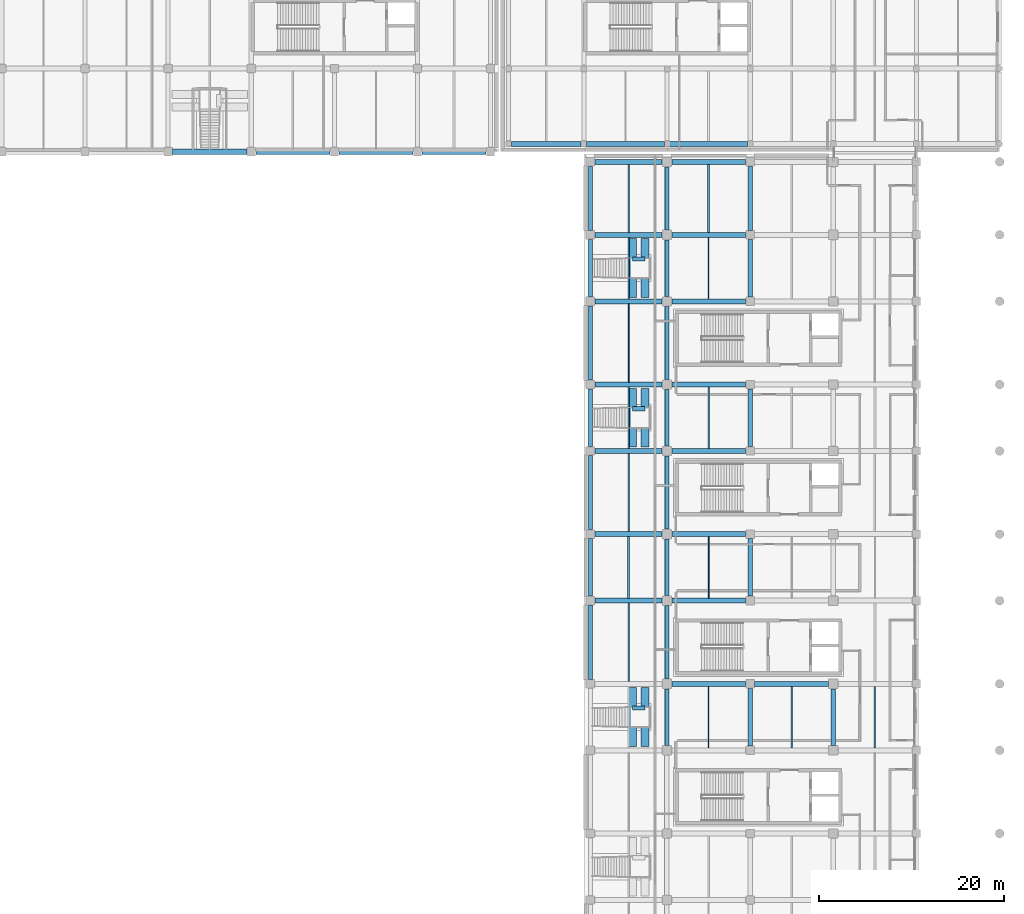
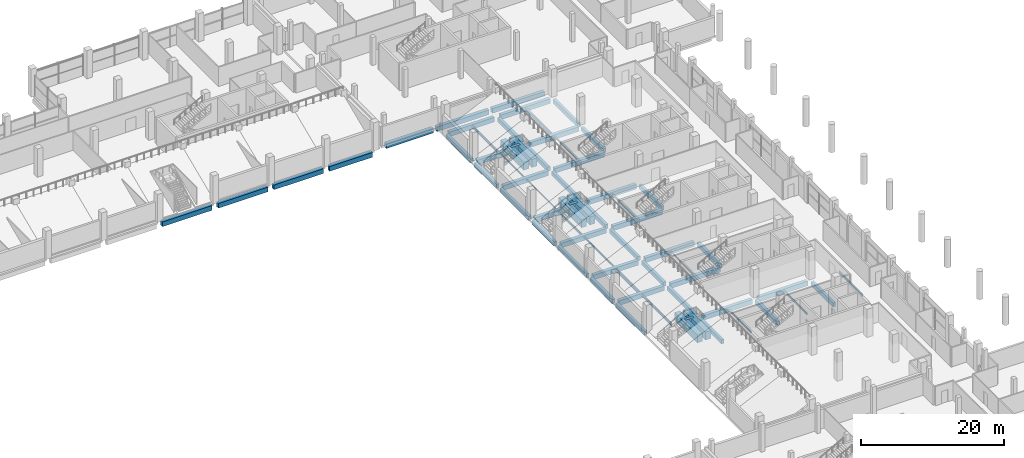
# One storey, part 24 of 100: 67 beams.
"""IFC4 building model written with IfcOpenShell, lengths in metres."""

from ifc_helpers import new_model, si_unit, direction, frame, origin, origin_2d, place, context, subcontext, project, spatial, rectangle, hollow_rectangle, i_section, extrude, material, material_profile, profile_set, type_object, element, save


model = new_model("IFC4")

# Units and contexts
model_context = context("Model", 3, precision=1e-05, world=origin(), true_north=direction((0.0, 1.0)))
body_context = subcontext(model_context, "Body", "Model", "MODEL_VIEW")
ifc_project = project(units=[si_unit("LENGTHUNIT", "METRE"), si_unit("AREAUNIT", "SQUARE_METRE"), si_unit("VOLUMEUNIT", "CUBIC_METRE"), si_unit("PLANEANGLEUNIT", "RADIAN"), si_unit("MASSUNIT", "GRAM", prefix="KILO"), si_unit("THERMODYNAMICTEMPERATUREUNIT", "KELVIN"), si_unit("POWERUNIT", "WATT")], contexts=[model_context])

# Site, building, storey
site_placement = place(None, origin())
site = spatial("IfcSite", under=ifc_project, at=site_placement, CompositionType="ELEMENT")
building_placement = place(site_placement, origin())
building = spatial("IfcBuilding", under=site, at=building_placement, Name="Sindhuravela Promenade Stadium", CompositionType="ELEMENT")
storey_placement = place(building_placement, frame((0.0, 0.0, 4.800048828125)))
storey = spatial("IfcBuildingStorey", under=building, at=storey_placement, Name="L01", CompositionType="ELEMENT", Elevation=4.800048828125)

# Beams
ifc_material_1 = material(Name="Concrete M40", Category="concrete")
ifc_material_profile_1 = material_profile(ifc_material_1, rectangle(XDim=0.449951171875, YDim=0.699951171875, at=origin_2d()), Name="RC 450x700")
ifc_profile_set_1 = profile_set([ifc_material_profile_1], Name="Concrete M40")
beam_type_1 = type_object("IfcBeamType", Name="RC-BM-450x700", PredefinedType="BEAM", material=ifc_profile_set_1)
beam_1_placement = place(storey_placement, frame((171.699951171875, 68.889892578125, -0.650146484375), z_axis=(0.0, 1.0, 0.0), x_axis=(-1.0, 0.0, 0.0)))
element("IfcBeam", 1, at=beam_1_placement, inside=storey, type_object=beam_type_1, Name="Primary beam GB07 EAST L01", PredefinedType="BEAM", context=body_context, shape_type="SweptSolid", body=[
    extrude(rectangle(XDim=0.449951171875, YDim=0.699951171875, at=origin_2d()), origin(), (0.0, 0.0, 1.0), 8.02001953125),
])
beam_2_placement = place(storey_placement, frame((171.699951171875, 77.889892578125, -0.650146484375), z_axis=(0.0, 1.0, 0.0), x_axis=(-1.0, 0.0, 0.0)))
element("IfcBeam", 2, at=beam_2_placement, inside=storey, type_object=beam_type_1, Name="Primary beam GB07 EAST L01", PredefinedType="BEAM", context=body_context, shape_type="SweptSolid", body=[
    extrude(rectangle(XDim=0.449951171875, YDim=0.699951171875, at=origin_2d()), origin(), (0.0, 0.0, 1.0), 6.22021484375),
])
beam_3_placement = place(storey_placement, frame((171.699951171875, 85.090087890625, -0.650146484375), z_axis=(0.0, 1.0, 0.0), x_axis=(-1.0, 0.0, 0.0)))
element("IfcBeam", 3, at=beam_3_placement, inside=storey, type_object=beam_type_1, Name="Primary beam GB07 EAST L01", PredefinedType="BEAM", context=body_context, shape_type="SweptSolid", body=[
    extrude(rectangle(XDim=0.449951171875, YDim=0.699951171875, at=origin_2d()), origin(), (0.0, 0.0, 1.0), 8.02001953125),
])
beam_4_placement = place(storey_placement, frame((171.699951171875, 94.090087890625, -0.650146484375), z_axis=(0.0, 1.0, 0.0), x_axis=(-1.0, 0.0, 0.0)))
element("IfcBeam", 4, at=beam_4_placement, inside=storey, type_object=beam_type_1, Name="Primary beam GB07 EAST L01", PredefinedType="BEAM", context=body_context, shape_type="SweptSolid", body=[
    extrude(rectangle(XDim=0.449951171875, YDim=0.699951171875, at=origin_2d()), origin(), (0.0, 0.0, 1.0), 6.219970703125),
])
beam_5_placement = place(storey_placement, frame((171.699951171875, 101.2900390625, -0.650146484375), z_axis=(0.0, 1.0, 0.0), x_axis=(-1.0, 0.0, 0.0)))
element("IfcBeam", 5, at=beam_5_placement, inside=storey, type_object=beam_type_1, Name="Primary beam GB07 EAST L01", PredefinedType="BEAM", context=body_context, shape_type="SweptSolid", body=[
    extrude(rectangle(XDim=0.449951171875, YDim=0.699951171875, at=origin_2d()), origin(), (0.0, 0.0, 1.0), 8.02001953125),
])
beam_6_placement = place(storey_placement, frame((171.699951171875, 110.2900390625, -0.650146484375), z_axis=(0.0, 1.0, 0.0), x_axis=(-1.0, 0.0, 0.0)))
element("IfcBeam", 6, at=beam_6_placement, inside=storey, type_object=beam_type_1, Name="Primary beam GB07 EAST L01", PredefinedType="BEAM", context=body_context, shape_type="SweptSolid", body=[
    extrude(rectangle(XDim=0.449951171875, YDim=0.699951171875, at=origin_2d()), origin(), (0.0, 0.0, 1.0), 6.219970703125),
])
beam_7_placement = place(storey_placement, frame((171.699951171875, 117.489990234375, -0.650146484375), z_axis=(0.0, 1.0, 0.0), x_axis=(-1.0, 0.0, 0.0)))
element("IfcBeam", 7, at=beam_7_placement, inside=storey, type_object=beam_type_1, Name="Primary beam GB07 EAST L01", PredefinedType="BEAM", context=body_context, shape_type="SweptSolid", body=[
    extrude(rectangle(XDim=0.449951171875, YDim=0.699951171875, at=origin_2d()), origin(), (0.0, 0.0, 1.0), 6.919921875),
])
beam_8_placement = place(storey_placement, frame((180.0, 61.739990234375, -0.650146484375), z_axis=(0.0, 1.0, 0.0), x_axis=(-1.0, 0.0, 0.0)))
element("IfcBeam", 8, at=beam_8_placement, inside=storey, type_object=beam_type_1, Name="Primary beam GB07 EAST L01", PredefinedType="BEAM", context=body_context, shape_type="SweptSolid", body=[
    extrude(rectangle(XDim=0.449951171875, YDim=0.699951171875, at=origin_2d()), origin(), (0.0, 0.0, 1.0), 6.1201171875),
])
beam_9_placement = place(storey_placement, frame((180.0, 68.93994140625, -0.650146484375), z_axis=(0.0, 1.0, 0.0), x_axis=(-1.0, 0.0, 0.0)))
element("IfcBeam", 9, at=beam_9_placement, inside=storey, type_object=beam_type_1, Name="Primary beam GB07 EAST L01", PredefinedType="BEAM", context=body_context, shape_type="SweptSolid", body=[
    extrude(rectangle(XDim=0.449951171875, YDim=0.699951171875, at=origin_2d()), origin(), (0.0, 0.0, 1.0), 7.920166015625),
])
beam_10_placement = place(storey_placement, frame((180.0, 77.93994140625, -0.650146484375), z_axis=(0.0, 1.0, 0.0), x_axis=(-1.0, 0.0, 0.0)))
element("IfcBeam", 10, at=beam_10_placement, inside=storey, type_object=beam_type_1, Name="Primary beam GB07 EAST L01", PredefinedType="BEAM", context=body_context, shape_type="SweptSolid", body=[
    extrude(rectangle(XDim=0.449951171875, YDim=0.699951171875, at=origin_2d()), origin(), (0.0, 0.0, 1.0), 6.1201171875),
])
beam_11_placement = place(storey_placement, frame((180.0, 85.139892578125, -0.650146484375), z_axis=(0.0, 1.0, 0.0), x_axis=(-1.0, 0.0, 0.0)))
element("IfcBeam", 11, at=beam_11_placement, inside=storey, type_object=beam_type_1, Name="Primary beam GB07 EAST L01", PredefinedType="BEAM", context=body_context, shape_type="SweptSolid", body=[
    extrude(rectangle(XDim=0.449951171875, YDim=0.699951171875, at=origin_2d()), origin(), (0.0, 0.0, 1.0), 7.920166015625),
])
beam_12_placement = place(storey_placement, frame((180.0, 94.139892578125, -0.650146484375), z_axis=(0.0, 1.0, 0.0), x_axis=(-1.0, 0.0, 0.0)))
element("IfcBeam", 12, at=beam_12_placement, inside=storey, type_object=beam_type_1, Name="Primary beam GB07 EAST L01", PredefinedType="BEAM", context=body_context, shape_type="SweptSolid", body=[
    extrude(rectangle(XDim=0.449951171875, YDim=0.699951171875, at=origin_2d()), origin(), (0.0, 0.0, 1.0), 6.1201171875),
])
beam_13_placement = place(storey_placement, frame((180.0, 101.340087890625, -0.650146484375), z_axis=(0.0, 1.0, 0.0), x_axis=(-1.0, 0.0, 0.0)))
element("IfcBeam", 13, at=beam_13_placement, inside=storey, type_object=beam_type_1, Name="Primary beam GB07 EAST L01", PredefinedType="BEAM", context=body_context, shape_type="SweptSolid", body=[
    extrude(rectangle(XDim=0.449951171875, YDim=0.699951171875, at=origin_2d()), origin(), (0.0, 0.0, 1.0), 7.919921875),
])
beam_14_placement = place(storey_placement, frame((180.0, 110.340087890625, -0.650146484375), z_axis=(0.0, 1.0, 0.0), x_axis=(-1.0, 0.0, 0.0)))
element("IfcBeam", 14, at=beam_14_placement, inside=storey, type_object=beam_type_1, Name="Primary beam GB07 EAST L01", PredefinedType="BEAM", context=body_context, shape_type="SweptSolid", body=[
    extrude(rectangle(XDim=0.449951171875, YDim=0.699951171875, at=origin_2d()), origin(), (0.0, 0.0, 1.0), 6.119873046875),
])
beam_15_placement = place(storey_placement, frame((180.0, 117.5400390625, -0.650146484375), z_axis=(0.0, 1.0, 0.0), x_axis=(-1.0, 0.0, 0.0)))
element("IfcBeam", 15, at=beam_15_placement, inside=storey, type_object=beam_type_1, Name="Primary beam GB07 EAST L01", PredefinedType="BEAM", context=body_context, shape_type="SweptSolid", body=[
    extrude(rectangle(XDim=0.449951171875, YDim=0.699951171875, at=origin_2d()), origin(), (0.0, 0.0, 1.0), 6.820068359375),
])
beam_16_placement = place(storey_placement, frame((189.0, 61.68994140625, -0.650146484375), z_axis=(0.0, 1.0, 0.0), x_axis=(-1.0, 0.0, 0.0)))
element("IfcBeam", 16, at=beam_16_placement, inside=storey, type_object=beam_type_1, Name="Primary beam GB07 EAST L01", PredefinedType="BEAM", context=body_context, shape_type="SweptSolid", body=[
    extrude(rectangle(XDim=0.449951171875, YDim=0.699951171875, at=origin_2d()), origin(), (0.0, 0.0, 1.0), 6.219970703125),
])
beam_17_placement = place(storey_placement, frame((189.0, 77.889892578125, -0.650146484375), z_axis=(0.0, 1.0, 0.0), x_axis=(-1.0, 0.0, 0.0)))
element("IfcBeam", 17, at=beam_17_placement, inside=storey, type_object=beam_type_1, Name="Primary beam GB07 EAST L01", PredefinedType="BEAM", context=body_context, shape_type="SweptSolid", body=[
    extrude(rectangle(XDim=0.449951171875, YDim=0.699951171875, at=origin_2d()), origin(), (0.0, 0.0, 1.0), 6.22021484375),
])
for number, where, z_axis, x_axis, name in (
    (18, (189.0, 94.090087890625, -0.650146484375), (0.0, 1.0, 0.0), (-1.0, 0.0, 0.0), "Primary beam GB07 EAST L01"),
    (19, (189.0, 110.2900390625, -0.650146484375), (0.0, 1.0, 0.0), (-1.0, 0.0, 0.0), "Primary beam GB07 EAST L01"),
):
    element("IfcBeam", number, at=place(storey_placement, frame(where, z_axis=z_axis, x_axis=x_axis)), inside=storey, type_object=beam_type_1, Name=name, PredefinedType="BEAM", context=body_context, shape_type="SweptSolid", body=[
        extrude(rectangle(XDim=0.449951171875, YDim=0.699951171875, at=origin_2d()), origin(), (0.0, 0.0, 1.0), 6.219970703125),
    ])
beam_18_placement = place(storey_placement, frame((189.0, 117.489990234375, -0.650146484375), z_axis=(0.0, 1.0, 0.0), x_axis=(-1.0, 0.0, 0.0)))
element("IfcBeam", 20, at=beam_18_placement, inside=storey, type_object=beam_type_1, Name="Primary beam GB07 EAST L01", PredefinedType="BEAM", context=body_context, shape_type="SweptSolid", body=[
    extrude(rectangle(XDim=0.449951171875, YDim=0.699951171875, at=origin_2d()), origin(), (0.0, 0.0, 1.0), 6.919921875),
])
beam_19_placement = place(storey_placement, frame((198.0, 61.739990234375, -0.650146484375), z_axis=(0.0, 1.0, 0.0), x_axis=(-1.0, 0.0, 0.0)))
element("IfcBeam", 21, at=beam_19_placement, inside=storey, type_object=beam_type_1, Name="Primary beam GB07 EAST L01", PredefinedType="BEAM", context=body_context, shape_type="SweptSolid", body=[
    extrude(rectangle(XDim=0.449951171875, YDim=0.699951171875, at=origin_2d()), origin(), (0.0, 0.0, 1.0), 6.1201171875),
])
for number, where, z_axis, x_axis, name in (
    (22, (176.25, 65.780029296875, 1.655029296875), (1.0, 0.0, 0.0), (0.0, 1.0, 0.0), "Vomitory VS06 landing edge stringer"),
    (23, (176.25, 98.179931640625, 1.655029296875), (1.0, 0.0, 0.0), (0.0, 1.0, 0.0), "Vomitory VS07 landing edge stringer"),
    (24, (176.25, 114.3798828125, 1.655029296875), (1.0, 0.0, 0.0), (0.0, 1.0, 0.0), "Vomitory VS08 landing edge stringer"),
):
    element("IfcBeam", number, at=place(storey_placement, frame(where, z_axis=z_axis, x_axis=x_axis)), inside=storey, type_object=beam_type_1, Name=name, PredefinedType="BEAM", context=body_context, shape_type="SweptSolid", body=[
        extrude(rectangle(XDim=0.449951171875, YDim=0.699951171875, at=origin_2d()), origin(), (0.0, 0.0, 1.0), 1.35009765625),
    ])
ifc_material_profile_2 = material_profile(ifc_material_1, rectangle(XDim=0.550048828125, YDim=0.800048828125, at=origin_2d()), Name="RC 550x800")
ifc_profile_set_2 = profile_set([ifc_material_profile_2], Name="Concrete M40")
beam_type_2 = type_object("IfcBeamType", Name="RC-BM-550x800", PredefinedType="BEAM", material=ifc_profile_set_2)
for number, where, z_axis, x_axis, name in (
    (25, (180.5400390625, 68.39990234375, -0.699951171875), (1.0, 0.0, 0.0), (0.0, 1.0, 0.0), "Primary girder GB05 EAST L01"),
    (26, (189.489990234375, 68.39990234375, -0.699951171875), (1.0, 0.0, 0.0), (0.0, 1.0, 0.0), "Primary girder GB05 EAST L01"),
):
    element("IfcBeam", number, at=place(storey_placement, frame(where, z_axis=z_axis, x_axis=x_axis)), inside=storey, type_object=beam_type_2, Name=name, PredefinedType="BEAM", context=body_context, shape_type="SweptSolid", body=[
        extrude(rectangle(XDim=0.550048828125, YDim=0.800048828125, at=origin_2d()), origin(), (0.0, 0.0, 1.0), 7.969970703125),
    ])
beam_20_placement = place(storey_placement, frame((172.18994140625, 77.39990234375, -0.699951171875), z_axis=(1.0, 0.0, 0.0), x_axis=(0.0, 1.0, 0.0)))
element("IfcBeam", 27, at=beam_20_placement, inside=storey, type_object=beam_type_2, Name="Primary girder GB05 EAST L01", PredefinedType="BEAM", context=body_context, shape_type="SweptSolid", body=[
    extrude(rectangle(XDim=0.550048828125, YDim=0.800048828125, at=origin_2d()), origin(), (0.0, 0.0, 1.0), 7.27001953125),
])
beam_21_placement = place(storey_placement, frame((180.5400390625, 77.39990234375, -0.699951171875), z_axis=(1.0, 0.0, 0.0), x_axis=(0.0, 1.0, 0.0)))
element("IfcBeam", 28, at=beam_21_placement, inside=storey, type_object=beam_type_2, Name="Primary girder GB05 EAST L01", PredefinedType="BEAM", context=body_context, shape_type="SweptSolid", body=[
    extrude(rectangle(XDim=0.550048828125, YDim=0.800048828125, at=origin_2d()), origin(), (0.0, 0.0, 1.0), 7.969970703125),
])
beam_22_placement = place(storey_placement, frame((172.18994140625, 84.60009765625, -0.699951171875), z_axis=(1.0, 0.0, 0.0), x_axis=(0.0, 1.0, 0.0)))
element("IfcBeam", 29, at=beam_22_placement, inside=storey, type_object=beam_type_2, Name="Primary girder GB05 EAST L01", PredefinedType="BEAM", context=body_context, shape_type="SweptSolid", body=[
    extrude(rectangle(XDim=0.550048828125, YDim=0.800048828125, at=origin_2d()), origin(), (0.0, 0.0, 1.0), 7.27001953125),
])
beam_23_placement = place(storey_placement, frame((180.5400390625, 84.60009765625, -0.699951171875), z_axis=(1.0, 0.0, 0.0), x_axis=(0.0, 1.0, 0.0)))
element("IfcBeam", 30, at=beam_23_placement, inside=storey, type_object=beam_type_2, Name="Primary girder GB05 EAST L01", PredefinedType="BEAM", context=body_context, shape_type="SweptSolid", body=[
    extrude(rectangle(XDim=0.550048828125, YDim=0.800048828125, at=origin_2d()), origin(), (0.0, 0.0, 1.0), 7.969970703125),
])
beam_24_placement = place(storey_placement, frame((172.18994140625, 93.60009765625, -0.699951171875), z_axis=(1.0, 0.0, 0.0), x_axis=(0.0, 1.0, 0.0)))
element("IfcBeam", 31, at=beam_24_placement, inside=storey, type_object=beam_type_2, Name="Primary girder GB05 EAST L01", PredefinedType="BEAM", context=body_context, shape_type="SweptSolid", body=[
    extrude(rectangle(XDim=0.550048828125, YDim=0.800048828125, at=origin_2d()), origin(), (0.0, 0.0, 1.0), 7.27001953125),
])
beam_25_placement = place(storey_placement, frame((180.5400390625, 93.60009765625, -0.699951171875), z_axis=(1.0, 0.0, 0.0), x_axis=(0.0, 1.0, 0.0)))
element("IfcBeam", 32, at=beam_25_placement, inside=storey, type_object=beam_type_2, Name="Primary girder GB05 EAST L01", PredefinedType="BEAM", context=body_context, shape_type="SweptSolid", body=[
    extrude(rectangle(XDim=0.550048828125, YDim=0.800048828125, at=origin_2d()), origin(), (0.0, 0.0, 1.0), 7.969970703125),
])
beam_26_placement = place(storey_placement, frame((172.18994140625, 100.800048828125, -0.699951171875), z_axis=(1.0, 0.0, 0.0), x_axis=(0.0, 1.0, 0.0)))
element("IfcBeam", 33, at=beam_26_placement, inside=storey, type_object=beam_type_2, Name="Primary girder GB05 EAST L01", PredefinedType="BEAM", context=body_context, shape_type="SweptSolid", body=[
    extrude(rectangle(XDim=0.550048828125, YDim=0.800048828125, at=origin_2d()), origin(), (0.0, 0.0, 1.0), 7.27001953125),
])
beam_27_placement = place(storey_placement, frame((180.5400390625, 100.800048828125, -0.699951171875), z_axis=(1.0, 0.0, 0.0), x_axis=(0.0, 1.0, 0.0)))
element("IfcBeam", 34, at=beam_27_placement, inside=storey, type_object=beam_type_2, Name="Primary girder GB05 EAST L01", PredefinedType="BEAM", context=body_context, shape_type="SweptSolid", body=[
    extrude(rectangle(XDim=0.550048828125, YDim=0.800048828125, at=origin_2d()), origin(), (0.0, 0.0, 1.0), 7.969970703125),
])
beam_28_placement = place(storey_placement, frame((172.18994140625, 109.800048828125, -0.699951171875), z_axis=(1.0, 0.0, 0.0), x_axis=(0.0, 1.0, 0.0)))
element("IfcBeam", 35, at=beam_28_placement, inside=storey, type_object=beam_type_2, Name="Primary girder GB05 EAST L01", PredefinedType="BEAM", context=body_context, shape_type="SweptSolid", body=[
    extrude(rectangle(XDim=0.550048828125, YDim=0.800048828125, at=origin_2d()), origin(), (0.0, 0.0, 1.0), 7.27001953125),
])
beam_29_placement = place(storey_placement, frame((180.5400390625, 109.800048828125, -0.699951171875), z_axis=(1.0, 0.0, 0.0), x_axis=(0.0, 1.0, 0.0)))
element("IfcBeam", 36, at=beam_29_placement, inside=storey, type_object=beam_type_2, Name="Primary girder GB05 EAST L01", PredefinedType="BEAM", context=body_context, shape_type="SweptSolid", body=[
    extrude(rectangle(XDim=0.550048828125, YDim=0.800048828125, at=origin_2d()), origin(), (0.0, 0.0, 1.0), 7.969970703125),
])
beam_30_placement = place(storey_placement, frame((172.18994140625, 117.0, -0.699951171875), z_axis=(1.0, 0.0, 0.0), x_axis=(0.0, 1.0, 0.0)))
element("IfcBeam", 37, at=beam_30_placement, inside=storey, type_object=beam_type_2, Name="Primary girder GB05 EAST L01", PredefinedType="BEAM", context=body_context, shape_type="SweptSolid", body=[
    extrude(rectangle(XDim=0.550048828125, YDim=0.800048828125, at=origin_2d()), origin(), (0.0, 0.0, 1.0), 7.27001953125),
])
beam_31_placement = place(storey_placement, frame((180.5400390625, 117.0, -0.699951171875), z_axis=(1.0, 0.0, 0.0), x_axis=(0.0, 1.0, 0.0)))
element("IfcBeam", 38, at=beam_31_placement, inside=storey, type_object=beam_type_2, Name="Primary girder GB05 EAST L01", PredefinedType="BEAM", context=body_context, shape_type="SweptSolid", body=[
    extrude(rectangle(XDim=0.550048828125, YDim=0.800048828125, at=origin_2d()), origin(), (0.0, 0.0, 1.0), 7.969970703125),
])
beam_32_placement = place(storey_placement, frame((172.18994140625, 124.89990234375, -0.699951171875), z_axis=(1.0, 0.0, 0.0), x_axis=(0.0, 1.0, 0.0)))
element("IfcBeam", 39, at=beam_32_placement, inside=storey, type_object=beam_type_2, Name="Primary girder GB05 EAST L01", PredefinedType="BEAM", context=body_context, shape_type="SweptSolid", body=[
    extrude(rectangle(XDim=0.550048828125, YDim=0.800048828125, at=origin_2d()), origin(), (0.0, 0.0, 1.0), 7.27001953125),
])
beam_33_placement = place(storey_placement, frame((180.5400390625, 124.89990234375, -0.699951171875), z_axis=(1.0, 0.0, 0.0), x_axis=(0.0, 1.0, 0.0)))
element("IfcBeam", 40, at=beam_33_placement, inside=storey, type_object=beam_type_2, Name="Primary girder GB05 EAST L01", PredefinedType="BEAM", context=body_context, shape_type="SweptSolid", body=[
    extrude(rectangle(XDim=0.550048828125, YDim=0.800048828125, at=origin_2d()), origin(), (0.0, 0.0, 1.0), 7.969970703125),
])
for number, where, z_axis, x_axis, name in (
    (41, (126.489990234375, 126.0, -0.699951171875), (1.0, 0.0, 0.0), (0.0, 1.0, 0.0), "Primary girder GB05 NORTH L01"),
    (42, (135.489990234375, 126.0, -0.699951171875), (1.0, 0.0, 0.0), (0.0, 1.0, 0.0), "Primary girder GB05 NORTH L01"),
    (43, (144.489990234375, 126.0, -0.699951171875), (1.0, 0.0, 0.0), (0.0, 1.0, 0.0), "Primary girder GB05 NORTH L01"),
):
    element("IfcBeam", number, at=place(storey_placement, frame(where, z_axis=z_axis, x_axis=x_axis)), inside=storey, type_object=beam_type_2, Name=name, PredefinedType="BEAM", context=body_context, shape_type="SweptSolid", body=[
        extrude(rectangle(XDim=0.550048828125, YDim=0.800048828125, at=origin_2d()), origin(), (0.0, 0.0, 1.0), 8.02001953125),
    ])
beam_34_placement = place(storey_placement, frame((153.489990234375, 126.0, -0.699951171875), z_axis=(1.0, 0.0, 0.0), x_axis=(0.0, 1.0, 0.0)))
element("IfcBeam", 44, at=beam_34_placement, inside=storey, type_object=beam_type_2, Name="Primary girder GB05 NORTH L01", PredefinedType="BEAM", context=body_context, shape_type="SweptSolid", body=[
    extrude(rectangle(XDim=0.550048828125, YDim=0.800048828125, at=origin_2d()), origin(), (0.0, 0.0, 1.0), 6.919921875),
])
beam_35_placement = place(storey_placement, frame((163.139892578125, 126.85009765625, -0.699951171875), z_axis=(1.0, 0.0, 0.0), x_axis=(0.0, 1.0, 0.0)))
element("IfcBeam", 45, at=beam_35_placement, inside=storey, type_object=beam_type_2, Name="Primary girder GB05 Pavilion NE L01", PredefinedType="BEAM", context=body_context, shape_type="SweptSolid", body=[
    extrude(rectangle(XDim=0.550048828125, YDim=0.800048828125, at=origin_2d()), origin(), (0.0, 0.0, 1.0), 7.570068359375),
])
for number, where, z_axis, x_axis, name in (
    (46, (171.2900390625, 126.85009765625, -0.699951171875), (1.0, 0.0, 0.0), (0.0, 1.0, 0.0), "Primary girder GB05 Pavilion NE L01"),
    (47, (180.2900390625, 126.85009765625, -0.699951171875), (1.0, 0.0, 0.0), (0.0, 1.0, 0.0), "Primary girder GB05 Pavilion NE L01"),
):
    element("IfcBeam", number, at=place(storey_placement, frame(where, z_axis=z_axis, x_axis=x_axis)), inside=storey, type_object=beam_type_2, Name=name, PredefinedType="BEAM", context=body_context, shape_type="SweptSolid", body=[
        extrude(rectangle(XDim=0.550048828125, YDim=0.800048828125, at=origin_2d()), origin(), (0.0, 0.0, 1.0), 8.419921875),
    ])
ifc_material_2 = material(Name="Concrete M50", Category="concrete")
ifc_material_profile_3 = material_profile(ifc_material_2, rectangle(XDim=0.85009765625, YDim=1.35009765625, at=origin_2d()), Name="RC 850x1350")
ifc_profile_set_3 = profile_set([ifc_material_profile_3], Name="Concrete M50")
beam_type_3 = type_object("IfcBeamType", Name="RC-RK-850x1350", PredefinedType="USERDEFINED", material=ifc_profile_set_3)
for number, where, z_axis, x_axis, name in (
    (48, (176.25, 61.614990234375, 1.329833984375), (0.0, 1.0, 0.0), (-1.0, 0.0, 0.0), "Vomitory VS06 landing trimmer beam 1"),
    (49, (177.60009765625, 61.614990234375, 1.329833984375), (0.0, 1.0, 0.0), (-1.0, 0.0, 0.0), "Vomitory VS06 landing trimmer beam 2"),
    (50, (176.25, 94.014892578125, 1.329833984375), (0.0, 1.0, 0.0), (-1.0, 0.0, 0.0), "Vomitory VS07 landing trimmer beam 1"),
    (51, (177.60009765625, 94.014892578125, 1.329833984375), (0.0, 1.0, 0.0), (-1.0, 0.0, 0.0), "Vomitory VS07 landing trimmer beam 2"),
):
    element("IfcBeam", number, at=place(storey_placement, frame(where, z_axis=z_axis, x_axis=x_axis)), inside=storey, type_object=beam_type_3, Name=name, ObjectType="RAKER", PredefinedType="USERDEFINED", context=body_context, shape_type="SweptSolid", body=[
        extrude(rectangle(XDim=0.85009765625, YDim=1.35009765625, at=origin_2d()), origin(), (0.0, 0.0, 1.0), 6.3701171875),
    ])
for number, where, z_axis, x_axis, name in (
    (52, (176.25, 110.215087890625, 1.329833984375), (0.0, 1.0, 0.0), (-1.0, 0.0, 0.0), "Vomitory VS08 landing trimmer beam 1"),
    (53, (177.60009765625, 110.215087890625, 1.329833984375), (0.0, 1.0, 0.0), (-1.0, 0.0, 0.0), "Vomitory VS08 landing trimmer beam 2"),
):
    element("IfcBeam", number, at=place(storey_placement, frame(where, z_axis=z_axis, x_axis=x_axis)), inside=storey, type_object=beam_type_3, Name=name, ObjectType="RAKER", PredefinedType="USERDEFINED", context=body_context, shape_type="SweptSolid", body=[
        extrude(rectangle(XDim=0.85009765625, YDim=1.35009765625, at=origin_2d()), origin(), (0.0, 0.0, 1.0), 6.369873046875),
    ])
ifc_material_3 = material(Name="Steel E350 (IS 2062 E350BR)", Category="steel")
ifc_material_profile_4 = material_profile(ifc_material_3, hollow_rectangle(XDim=0.10009765625, YDim=0.199951171875, WallThickness=0.008056640625, at=origin_2d()), Name="RHS 200x100x8")
ifc_profile_set_4 = profile_set([ifc_material_profile_4], Name="Steel E350 (IS 2062 E350BR)")
beam_type_4 = type_object("IfcBeamType", Name="ST-BM-LNT200", PredefinedType="LINTEL", material=ifc_profile_set_4)
beam_36_placement = place(storey_placement, frame((184.5, 77.6650390625, -0.400146484375), z_axis=(0.0, 1.0, 0.0), x_axis=(-1.0, 0.0, 0.0)))
element("IfcBeam", 54, at=beam_36_placement, inside=storey, type_object=beam_type_4, Name="Secondary floor joist LN01 EAST L01", PredefinedType="LINTEL", context=body_context, shape_type="SweptSolid", body=[
    extrude(hollow_rectangle(XDim=0.10009765625, YDim=0.199951171875, WallThickness=0.008056640625, at=origin_2d()), origin(), (0.0, 0.0, 1.0), 6.669921875),
])
beam_37_placement = place(storey_placement, frame((175.85009765625, 101.06494140625, -0.400146484375), z_axis=(0.0, 1.0, 0.0), x_axis=(-1.0, 0.0, 0.0)))
element("IfcBeam", 55, at=beam_37_placement, inside=storey, type_object=beam_type_4, Name="Secondary floor joist LN01 EAST L01", PredefinedType="LINTEL", context=body_context, shape_type="SweptSolid", body=[
    extrude(hollow_rectangle(XDim=0.10009765625, YDim=0.199951171875, WallThickness=0.008056640625, at=origin_2d()), origin(), (0.0, 0.0, 1.0), 8.469970703125),
])
ifc_material_profile_5 = material_profile(ifc_material_3, i_section(OverallWidth=0.125, OverallDepth=0.25, WebThickness=0.0068359375, FlangeThickness=0.012451171875, FilletRadius=0.012939453125, at=origin_2d()), Name="ISMB 250")
ifc_profile_set_5 = profile_set([ifc_material_profile_5], Name="Steel E350 (IS 2062 E350BR)")
beam_type_5 = type_object("IfcBeamType", Name="ST-BM-MB250", PredefinedType="JOIST", material=ifc_profile_set_5)
beam_38_placement = place(storey_placement, frame((175.85009765625, 110.06494140625, -0.425048828125), z_axis=(0.0, 1.0, 0.0), x_axis=(-1.0, 0.0, 0.0)))
element("IfcBeam", 56, at=beam_38_placement, inside=storey, type_object=beam_type_5, Name="Secondary floor joist SB02 EAST L01", PredefinedType="JOIST", context=body_context, shape_type="SweptSolid", body=[
    extrude(i_section(OverallWidth=0.125, OverallDepth=0.25, WebThickness=0.0068359375, FlangeThickness=0.012451171875, FilletRadius=0.012939453125, at=origin_2d()), origin(), (0.0, 0.0, 1.0), 6.670166015625),
])
ifc_material_profile_6 = material_profile(ifc_material_3, i_section(OverallWidth=0.139892578125, OverallDepth=0.300048828125, WebThickness=0.0078125, FlangeThickness=0.01318359375, FilletRadius=0.013916015625, at=origin_2d()), Name="ISMB 300")
ifc_profile_set_6 = profile_set([ifc_material_profile_6], Name="Steel E350 (IS 2062 E350BR)")
beam_type_6 = type_object("IfcBeamType", Name="ST-BM-MB300", PredefinedType="JOIST", material=ifc_profile_set_6)
beam_39_placement = place(storey_placement, frame((184.5, 61.465087890625, -0.449951171875), z_axis=(0.0, 1.0, 0.0), x_axis=(-1.0, 0.0, 0.0)))
element("IfcBeam", 57, at=beam_39_placement, inside=storey, type_object=beam_type_6, Name="Secondary floor joist SB03 EAST L01", PredefinedType="JOIST", context=body_context, shape_type="SweptSolid", body=[
    extrude(i_section(OverallWidth=0.139892578125, OverallDepth=0.300048828125, WebThickness=0.0078125, FlangeThickness=0.01318359375, FilletRadius=0.013916015625, at=origin_2d()), origin(), (0.0, 0.0, 1.0), 6.669921875),
])
beam_40_placement = place(storey_placement, frame((175.85009765625, 84.864990234375, -0.449951171875), z_axis=(0.0, 1.0, 0.0), x_axis=(-1.0, 0.0, 0.0)))
element("IfcBeam", 58, at=beam_40_placement, inside=storey, type_object=beam_type_6, Name="Secondary floor joist SB03 EAST L01", PredefinedType="JOIST", context=body_context, shape_type="SweptSolid", body=[
    extrude(i_section(OverallWidth=0.139892578125, OverallDepth=0.300048828125, WebThickness=0.0078125, FlangeThickness=0.01318359375, FilletRadius=0.013916015625, at=origin_2d()), origin(), (0.0, 0.0, 1.0), 8.469970703125),
])
beam_41_placement = place(storey_placement, frame((184.5, 110.06494140625, -0.449951171875), z_axis=(0.0, 1.0, 0.0), x_axis=(-1.0, 0.0, 0.0)))
element("IfcBeam", 59, at=beam_41_placement, inside=storey, type_object=beam_type_6, Name="Secondary floor joist SB03 EAST L01", PredefinedType="JOIST", context=body_context, shape_type="SweptSolid", body=[
    extrude(i_section(OverallWidth=0.139892578125, OverallDepth=0.300048828125, WebThickness=0.0078125, FlangeThickness=0.01318359375, FilletRadius=0.013916015625, at=origin_2d()), origin(), (0.0, 0.0, 1.0), 6.670166015625),
])
ifc_material_profile_7 = material_profile(ifc_material_3, i_section(OverallWidth=0.139892578125, OverallDepth=0.35009765625, WebThickness=0.008056640625, FlangeThickness=0.01416015625, FilletRadius=0.013916015625, at=origin_2d()), Name="ISMB 350")
ifc_profile_set_7 = profile_set([ifc_material_profile_7], Name="Steel E350 (IS 2062 E350BR)")
beam_type_7 = type_object("IfcBeamType", Name="ST-BM-MB350", PredefinedType="JOIST", material=ifc_profile_set_7)
beam_42_placement = place(storey_placement, frame((193.5, 61.465087890625, -0.47509765625), z_axis=(0.0, 1.0, 0.0), x_axis=(-1.0, 0.0, 0.0)))
element("IfcBeam", 60, at=beam_42_placement, inside=storey, type_object=beam_type_7, Name="Secondary floor joist SB04 EAST L01", PredefinedType="JOIST", context=body_context, shape_type="SweptSolid", body=[
    extrude(i_section(OverallWidth=0.139892578125, OverallDepth=0.35009765625, WebThickness=0.008056640625, FlangeThickness=0.01416015625, FilletRadius=0.013916015625, at=origin_2d()), origin(), (0.0, 0.0, 1.0), 6.669921875),
])
ifc_material_profile_8 = material_profile(ifc_material_3, i_section(OverallWidth=0.139892578125, OverallDepth=0.39990234375, WebThickness=0.0087890625, FlangeThickness=0.01611328125, FilletRadius=0.013916015625, at=origin_2d()), Name="ISMB 400")
ifc_profile_set_8 = profile_set([ifc_material_profile_8], Name="Steel E350 (IS 2062 E350BR)")
beam_type_8 = type_object("IfcBeamType", Name="ST-BM-MB400", PredefinedType="BEAM", material=ifc_profile_set_8)
for number, where, z_axis, x_axis, name in (
    (61, (202.5, 61.465087890625, -0.5), (0.0, 1.0, 0.0), (-1.0, 0.0, 0.0), "Secondary floor joist SB05 EAST L01"),
    (62, (175.85009765625, 93.864990234375, -0.5), (0.0, 1.0, 0.0), (-1.0, 0.0, 0.0), "Secondary floor joist SB05 EAST L01"),
):
    element("IfcBeam", number, at=place(storey_placement, frame(where, z_axis=z_axis, x_axis=x_axis)), inside=storey, type_object=beam_type_8, Name=name, PredefinedType="BEAM", context=body_context, shape_type="SweptSolid", body=[
        extrude(i_section(OverallWidth=0.139892578125, OverallDepth=0.39990234375, WebThickness=0.0087890625, FlangeThickness=0.01611328125, FilletRadius=0.013916015625, at=origin_2d()), origin(), (0.0, 0.0, 1.0), 6.669921875),
    ])
ifc_material_profile_9 = material_profile(ifc_material_3, i_section(OverallWidth=0.14990234375, OverallDepth=0.449951171875, WebThickness=0.009521484375, FlangeThickness=0.017333984375, FilletRadius=0.014892578125, at=origin_2d()), Name="ISMB 450")
ifc_profile_set_9 = profile_set([ifc_material_profile_9], Name="Steel E350 (IS 2062 E350BR)")
beam_type_9 = type_object("IfcBeamType", Name="ST-BM-MB450", PredefinedType="BEAM", material=ifc_profile_set_9)
beam_43_placement = place(storey_placement, frame((175.85009765625, 68.6650390625, -0.525146484375), z_axis=(0.0, 1.0, 0.0), x_axis=(-1.0, 0.0, 0.0)))
element("IfcBeam", 63, at=beam_43_placement, inside=storey, type_object=beam_type_9, Name="Secondary floor joist SB06 EAST L01", PredefinedType="BEAM", context=body_context, shape_type="SweptSolid", body=[
    extrude(i_section(OverallWidth=0.14990234375, OverallDepth=0.449951171875, WebThickness=0.009521484375, FlangeThickness=0.017333984375, FilletRadius=0.014892578125, at=origin_2d()), origin(), (0.0, 0.0, 1.0), 8.469970703125),
])
beam_44_placement = place(storey_placement, frame((184.5, 93.864990234375, -0.525146484375), z_axis=(0.0, 1.0, 0.0), x_axis=(-1.0, 0.0, 0.0)))
element("IfcBeam", 64, at=beam_44_placement, inside=storey, type_object=beam_type_9, Name="Secondary floor joist SB06 EAST L01", PredefinedType="BEAM", context=body_context, shape_type="SweptSolid", body=[
    extrude(i_section(OverallWidth=0.14990234375, OverallDepth=0.449951171875, WebThickness=0.009521484375, FlangeThickness=0.017333984375, FilletRadius=0.014892578125, at=origin_2d()), origin(), (0.0, 0.0, 1.0), 6.669921875),
])
beam_45_placement = place(storey_placement, frame((175.85009765625, 117.264892578125, -0.525146484375), z_axis=(0.0, 1.0, 0.0), x_axis=(-1.0, 0.0, 0.0)))
element("IfcBeam", 65, at=beam_45_placement, inside=storey, type_object=beam_type_9, Name="Secondary floor joist SB06 EAST L01", PredefinedType="BEAM", context=body_context, shape_type="SweptSolid", body=[
    extrude(i_section(OverallWidth=0.14990234375, OverallDepth=0.449951171875, WebThickness=0.009521484375, FlangeThickness=0.017333984375, FilletRadius=0.014892578125, at=origin_2d()), origin(), (0.0, 0.0, 1.0), 7.3701171875),
])
ifc_material_profile_10 = material_profile(ifc_material_3, i_section(OverallWidth=0.18994140625, OverallDepth=0.550048828125, WebThickness=0.01123046875, FlangeThickness=0.019287109375, FilletRadius=0.01806640625, at=origin_2d()), Name="ISMB 550")
ifc_profile_set_10 = profile_set([ifc_material_profile_10], Name="Steel E350 (IS 2062 E350BR)")
beam_type_10 = type_object("IfcBeamType", Name="ST-BM-MB550", PredefinedType="SPANDREL", material=ifc_profile_set_10)
beam_46_placement = place(storey_placement, frame((184.5, 117.264892578125, -0.574951171875), z_axis=(0.0, 1.0, 0.0), x_axis=(-1.0, 0.0, 0.0)))
element("IfcBeam", 66, at=beam_46_placement, inside=storey, type_object=beam_type_10, Name="Secondary floor joist SB08 EAST L01", PredefinedType="SPANDREL", context=body_context, shape_type="SweptSolid", body=[
    extrude(i_section(OverallWidth=0.18994140625, OverallDepth=0.550048828125, WebThickness=0.01123046875, FlangeThickness=0.019287109375, FilletRadius=0.01806640625, at=origin_2d()), origin(), (0.0, 0.0, 1.0), 7.3701171875),
])
ifc_material_profile_11 = material_profile(ifc_material_3, i_section(OverallWidth=0.2099609375, OverallDepth=0.60009765625, WebThickness=0.011962890625, FlangeThickness=0.020751953125, FilletRadius=0.02001953125, at=origin_2d()), Name="ISMB 600")
ifc_profile_set_11 = profile_set([ifc_material_profile_11], Name="Steel E350 (IS 2062 E350BR)")
beam_type_11 = type_object("IfcBeamType", Name="ST-BM-MB600", PredefinedType="BEAM", material=ifc_profile_set_11)
beam_47_placement = place(storey_placement, frame((175.85009765625, 77.6650390625, -0.60009765625), z_axis=(0.0, 1.0, 0.0), x_axis=(-1.0, 0.0, 0.0)))
element("IfcBeam", 67, at=beam_47_placement, inside=storey, type_object=beam_type_11, Name="Secondary floor joist SB09 EAST L01", PredefinedType="BEAM", context=body_context, shape_type="SweptSolid", body=[
    extrude(i_section(OverallWidth=0.2099609375, OverallDepth=0.60009765625, WebThickness=0.011962890625, FlangeThickness=0.020751953125, FilletRadius=0.02001953125, at=origin_2d()), origin(), (0.0, 0.0, 1.0), 6.669921875),
])

save(model, "model.ifc")
